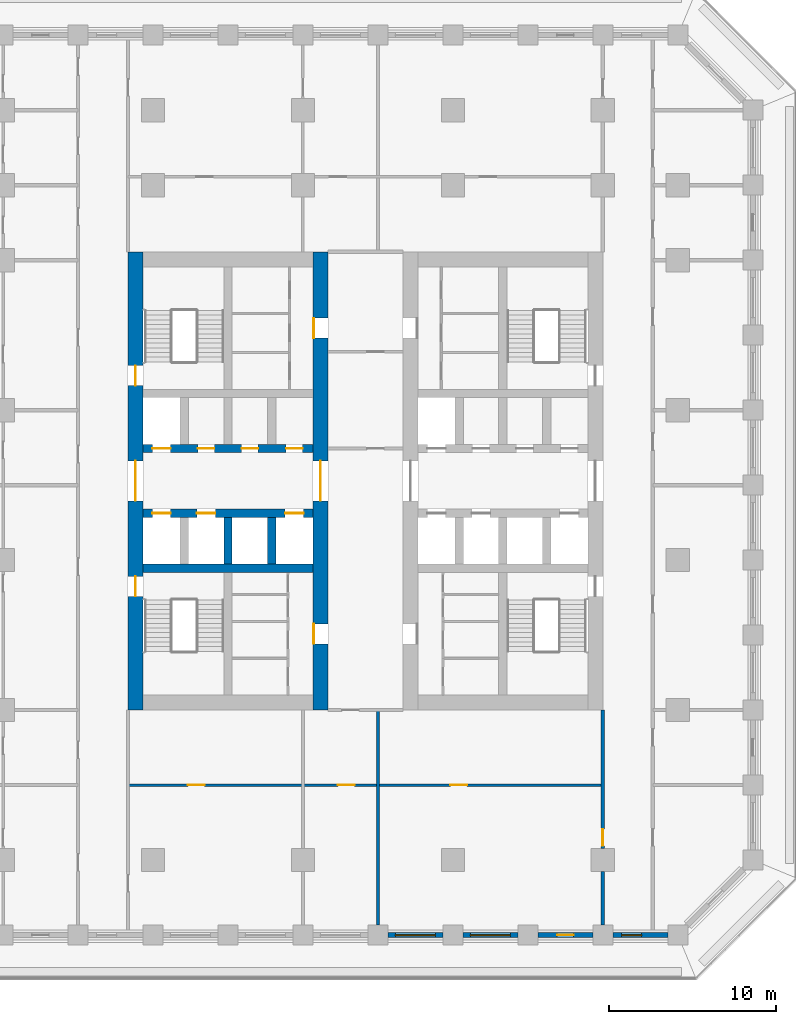
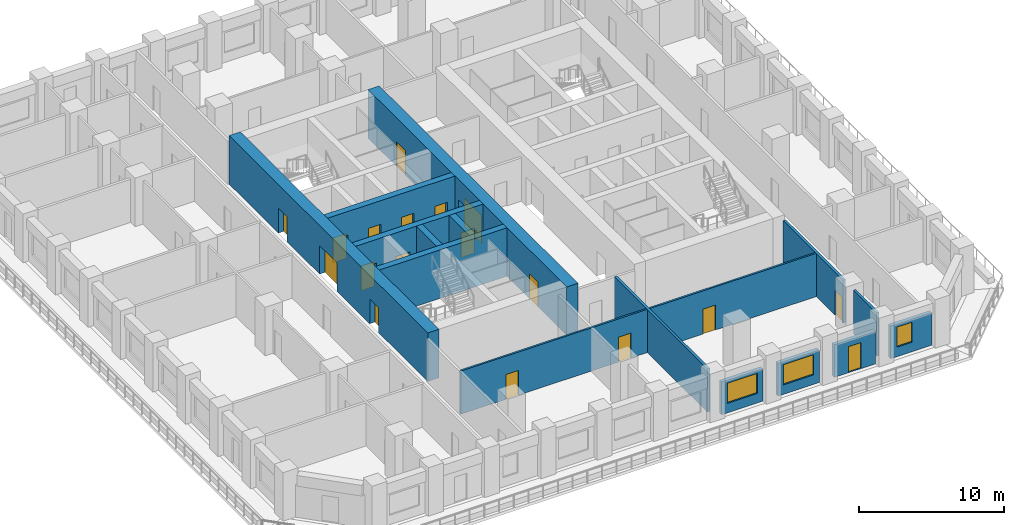
# One storey, part 4 of 17: 18 doors, 15 walls, 3 windows, 21 openings.
"""IFC4 building model written with IfcOpenShell, lengths in metres."""

import ifcopenshell
import ifcopenshell.guid

model = None  # the IFC model being written
_history = None  # IfcOwnerHistory: only IFC2X3 demands one
_inside = {}  # id of a spatial element -> (the spatial element, [elements in it])
_under = {}  # id of a project, library or spatial element -> (it, [spatial elements below it])
_declared = {}  # id of a project -> (the project, [libraries it declares])
_typed = {}  # id of a type object -> (the type object, [elements of that type])
_made_of = {}  # id of a material, layer set ... -> (it, [elements and type objects made of it])


def new_model(schema):
    """Start an empty IFC model of exactly this schema.

    Asked for "IFC4X3", IfcOpenShell would pick the latest addendum, in which some entities
    have other attributes; the version numbers below select the first issue.
    IFC2X3 requires an IfcOwnerHistory on every rooted entity: one is made here for all.
    """
    global model, _history
    if schema == "IFC4X3":
        model = ifcopenshell.file(schema_version=(4, 3, 0, 0))
    else:
        model = ifcopenshell.file(schema=schema)
    _inside.clear()
    _under.clear()
    _declared.clear()
    _typed.clear()
    _made_of.clear()
    _history = None
    if model.schema == "IFC2X3":
        org = make("IfcOrganization", Name="unknown")
        user = make(
            "IfcPersonAndOrganization",
            ThePerson=make("IfcPerson", FamilyName="unknown"),
            TheOrganization=org,
        )
        app = make(
            "IfcApplication",
            ApplicationDeveloper=org,
            Version="unknown",
            ApplicationFullName="unknown",
            ApplicationIdentifier="unknown",
        )
        _history = make(
            "IfcOwnerHistory",
            OwningUser=user,
            OwningApplication=app,
            ChangeAction="ADDED",
            CreationDate=0,
        )
    return model


def make(cls, **values):
    """One entity of the class cls with the attributes given. An attribute that is None is left unset."""
    return model.create_entity(
        cls, **{name: value for name, value in values.items() if value is not None}
    )


def rooted(cls, **values):
    """An entity with a GlobalId (a new one), such as an element, a storey or a relation."""
    return make(cls, GlobalId=ifcopenshell.guid.new(), OwnerHistory=_history, **values)


def si_unit(unit_type, name, prefix=None):
    """IfcSIUnit, for example si_unit("LENGTHUNIT", "METRE", prefix="MILLI")."""
    return make("IfcSIUnit", UnitType=unit_type, Prefix=prefix, Name=name)


def assignment(units):
    """IfcUnitAssignment: the units of a project."""
    return None if units is None else make("IfcUnitAssignment", Units=units)


def point(xyz):
    """IfcCartesianPoint."""
    return None if xyz is None else make("IfcCartesianPoint", Coordinates=xyz)


def direction(xyz):
    """IfcDirection."""
    return None if xyz is None else make("IfcDirection", DirectionRatios=xyz)


def frame(location, z_axis=None, x_axis=None):
    """IfcAxis2Placement3D, a coordinate frame: its origin and axes. An axis left out is left unset."""
    return make(
        "IfcAxis2Placement3D",
        Location=point(location),
        Axis=direction(z_axis),
        RefDirection=direction(x_axis),
    )


def frame_2d(location, x_axis=None):
    """IfcAxis2Placement2D, a coordinate frame in the plane: its origin and x axis."""
    return make(
        "IfcAxis2Placement2D", Location=point(location), RefDirection=direction(x_axis)
    )


def origin():
    """The frame at (0, 0, 0) with its axes left unset."""
    return frame((0.0, 0.0, 0.0))


def place(relative_to, where):
    """IfcLocalPlacement: puts the frame where relative to a parent placement (None: the world)."""
    return make(
        "IfcLocalPlacement", PlacementRelTo=relative_to, RelativePlacement=where
    )


def context(
    kind, dimensions, precision=None, world=None, true_north=None, identifier=None
):
    """IfcGeometricRepresentationContext, for example the 3D "Model" context."""
    return make(
        "IfcGeometricRepresentationContext",
        ContextIdentifier=identifier,
        ContextType=kind,
        CoordinateSpaceDimension=dimensions,
        Precision=precision,
        WorldCoordinateSystem=world,
        TrueNorth=true_north,
    )


def subcontext(parent, identifier, kind, view, scale=None):
    """IfcGeometricRepresentationSubContext, for example "Body" below "Model"."""
    return make(
        "IfcGeometricRepresentationSubContext",
        ContextIdentifier=identifier,
        ContextType=kind,
        ParentContext=parent,
        TargetScale=scale,
        TargetView=view,
    )


def project(units=None, contexts=None):
    """IfcProject with its units and contexts."""
    return rooted(
        "IfcProject",
        Name="project",
        RepresentationContexts=contexts,
        UnitsInContext=assignment(units),
    )


def spatial(cls, under=None, at=None, **own):
    """A site, building, storey or space (cls), placed at a placement, below another one or the project."""
    s = rooted(cls, ObjectPlacement=at, **own)
    if under is not None:
        _under.setdefault(under.id(), (under, []))[1].append(s)
    return s


def profile(cls, at=None, kind="AREA", **sizes):
    """A parametric profile (cls). Its sizes go by their IFC names, for example OverallWidth=200.0."""
    return make(cls, ProfileType=kind, Position=at, **sizes)


def rectangle(**sizes):
    """IfcRectangleProfileDef."""
    return profile("IfcRectangleProfileDef", **sizes)


def extrude(swept, where, along, depth):
    """IfcExtrudedAreaSolid: the profile swept, set in the frame where, extruded along a direction by depth."""
    return make(
        "IfcExtrudedAreaSolid",
        SweptArea=swept,
        Position=where,
        ExtrudedDirection=direction(along),
        Depth=depth,
    )


def shape(context_of_items, identifier, shape_type, items):
    """IfcShapeRepresentation: the items that make up one representation, for example the "Body"."""
    return make(
        "IfcShapeRepresentation",
        ContextOfItems=context_of_items,
        RepresentationIdentifier=identifier,
        RepresentationType=shape_type,
        Items=items,
    )


def material(Name=None, Category=None):
    """IfcMaterial."""
    return make("IfcMaterial", Name=Name, Category=Category)


def layer(
    of_material, thickness, ventilated=None, Name=None, Category=None, Priority=None
):
    """IfcMaterialLayer: one layer of a wall or slab, of a material (None: an air gap)."""
    return make(
        "IfcMaterialLayer",
        Material=of_material,
        LayerThickness=thickness,
        IsVentilated=ventilated,
        Name=Name,
        Category=Category,
        Priority=Priority,
    )


def layer_set(layers, Name=None):
    """IfcMaterialLayerSet."""
    return make("IfcMaterialLayerSet", MaterialLayers=layers, LayerSetName=Name)


def made_of(thing, what):
    """Note that an element or type object is made of a material, layer set ...; save() writes the relation."""
    if what is not None:
        _made_of.setdefault(what.id(), (what, []))[1].append(thing)
    return thing


def type_object(cls, material=None, **own):
    """A type object (cls), such as IfcWallType, which elements share."""
    return made_of(rooted(cls, **own), material)


def element(
    cls,
    number,
    at=None,
    inside=None,
    cuts=None,
    type_object=None,
    material=None,
    context=None,
    identifier="Body",
    shape_type=None,
    held_by="IfcProductDefinitionShape",
    body=None,
    shapes=None,
    **own,
):
    """One element of the class cls, such as IfcWall. Its Tag is "e" and its number.

    at: its placement. inside: the storey or other place that contains it. cuts: it is an
    opening in that element (IfcRelVoidsElement). A single representation is given by context,
    identifier, shape_type and body (its items); several are given by shapes. held_by: the class
    of the entity that holds the representations. save() writes the other relations.
    """
    e = rooted(cls, Tag="e%d" % number, ObjectPlacement=at, **own)
    if body is not None:
        shapes = [shape(context, identifier, shape_type, body)]
    if shapes is not None:
        e.Representation = make(held_by, Representations=shapes)
    if inside is not None:
        _inside.setdefault(inside.id(), (inside, []))[1].append(e)
    if cuts is not None:
        rooted(
            "IfcRelVoidsElement", RelatingBuildingElement=cuts, RelatedOpeningElement=e
        )
    if type_object is not None:
        _typed.setdefault(type_object.id(), (type_object, []))[1].append(e)
    return made_of(e, material)


def fill(opening, filler):
    """IfcRelFillsElement: the door or window that sits in an opening."""
    return rooted(
        "IfcRelFillsElement",
        RelatingOpeningElement=opening,
        RelatedBuildingElement=filler,
    )


def aggregate(whole, parts):
    """IfcRelAggregates: a whole, such as a stair, and the parts it consists of."""
    return rooted("IfcRelAggregates", RelatingObject=whole, RelatedObjects=parts)


def save(model, path):
    """Write the relations noted so far, then the file.

    IfcRelAggregates (storeys below a building ...), IfcRelContainedInSpatialStructure (elements
    in a storey), IfcRelDefinesByType, IfcRelAssociatesMaterial and IfcRelDeclares: one each for
    every whole, place, type object, material and project.
    """
    for whole, parts in _under.values():
        aggregate(whole, parts)
    for where, things in _inside.values():
        rooted(
            "IfcRelContainedInSpatialStructure",
            RelatedElements=things,
            RelatingStructure=where,
        )
    for kind, things in _typed.values():
        rooted("IfcRelDefinesByType", RelatedObjects=things, RelatingType=kind)
    for what, things in _made_of.values():
        rooted("IfcRelAssociatesMaterial", RelatedObjects=things, RelatingMaterial=what)
    for by, libraries in _declared.values():
        rooted("IfcRelDeclares", RelatingContext=by, RelatedDefinitions=libraries)
    model.write(path)


model = new_model("IFC4")

# Units and contexts
model_context = context("Model", 3, precision=1e-05, world=origin(), true_north=direction((0.0, 1.0)))
body_context = subcontext(model_context, "Body", "Model", "MODEL_VIEW")
ifc_project = project(units=[si_unit("LENGTHUNIT", "METRE"), si_unit("AREAUNIT", "SQUARE_METRE"), si_unit("VOLUMEUNIT", "CUBIC_METRE"), si_unit("PLANEANGLEUNIT", "RADIAN"), si_unit("MASSUNIT", "GRAM", prefix="KILO")], contexts=[model_context])

# Site, building, storey
site_placement = place(None, origin())
site = spatial("IfcSite", under=ifc_project, at=site_placement, CompositionType="ELEMENT")
building_placement = place(site_placement, origin())
building = spatial("IfcBuilding", under=site, at=building_placement, Name="Corbel Stack Research Tower", CompositionType="ELEMENT")
storey_placement = place(building_placement, frame((0.0, 0.0, 129.0)))
storey = spatial("IfcBuildingStorey", under=building, at=storey_placement, Name="L29", CompositionType="ELEMENT", Elevation=129.0)

# Wall
ifc_material_1 = material(Name="Concrete C70/85", Category="concrete")
ifc_layer_1 = layer(ifc_material_1, 0.5)
ifc_layer_set_1 = layer_set([ifc_layer_1], Name="Concrete C70/85")
wall_type_1 = type_object("IfcWallType", Name="CW-500-70", PredefinedType="SHEAR", material=ifc_layer_set_1)
wall_1_placement = place(storey_placement, frame((-9.60009765625, -0.5, 0.0), z_axis=(0.0, 0.0, 1.0), x_axis=(1.0, 0.0, 0.0)))
element("IfcWall", 1, at=wall_1_placement, inside=storey, type_object=wall_type_1, Name="West core wall, south row back L29", PredefinedType="SHEAR", context=body_context, shape_type="SweptSolid", body=[
    extrude(rectangle(XDim=10.2001953125, YDim=0.5, at=frame_2d((5.10009765625, 0.0))), origin(), (0.0, 0.0, 1.0), 4.10009765625),
])

# Wall, openings, doors
wall_2_placement = place(storey_placement, frame((-9.60009765625, 2.800048828125, 0.0), z_axis=(0.0, 0.0, 1.0), x_axis=(1.0, 0.0, 0.0)))
wall_2 = element("IfcWall", 2, at=wall_2_placement, inside=storey, type_object=wall_type_1, Name="West core wall, lobby south L29", PredefinedType="SHEAR", context=body_context, shape_type="SweptSolid", body=[
    extrude(rectangle(XDim=10.2001953125, YDim=0.5, at=frame_2d((5.10009765625, 0.0))), origin(), (0.0, 0.0, 1.0), 4.10009765625),
])
opening_1_placement = place(wall_2_placement, frame((0.5625, 0.0, 0.0)))
opening_1 = element("IfcOpeningElement", 3, at=opening_1_placement, cuts=wall_2, Name="Opening LD-FS1", PredefinedType="OPENING", context=body_context, shape_type="SweptSolid", body=[
    extrude(rectangle(XDim=1.10009765625, YDim=2.10009765625, at=frame_2d((0.550048828125, 1.050048828125))), frame((0.0, 0.260009765625, 0.0), z_axis=(0.0, -1.0, 0.0), x_axis=(1.0, 0.0, 0.0)), (0.0, 0.0, 1.0), 0.52001953125),
])
opening_2_placement = place(wall_2_placement, frame((3.237548828125, 0.0, 0.0)))
opening_2 = element("IfcOpeningElement", 4, at=opening_2_placement, cuts=wall_2, Name="Opening LD-GL1", PredefinedType="OPENING", context=body_context, shape_type="SweptSolid", body=[
    extrude(rectangle(XDim=1.10009765625, YDim=2.10009765625, at=frame_2d((0.550048828125, 1.050048828125))), frame((0.0, 0.260009765625, 0.0), z_axis=(0.0, -1.0, 0.0), x_axis=(1.0, 0.0, 0.0)), (0.0, 0.0, 1.0), 0.52001953125),
])
opening_3_placement = place(wall_2_placement, frame((8.53759765625, 0.0, 0.0)))
opening_3 = element("IfcOpeningElement", 5, at=opening_3_placement, cuts=wall_2, Name="Opening LD-LR1", PredefinedType="OPENING", context=body_context, shape_type="SweptSolid", body=[
    extrude(rectangle(XDim=1.10009765625, YDim=2.10009765625, at=frame_2d((0.550048828125, 1.050048828125))), frame((0.0, 0.260009765625, 0.0), z_axis=(0.0, -1.0, 0.0), x_axis=(1.0, 0.0, 0.0)), (0.0, 0.0, 1.0), 0.52001953125),
])
ifc_material_2 = material(Name="Stainless steel landing door", Category="steel")
door_type_1 = type_object("IfcDoorType", Name="Lift landing door 1100 x 2100", OperationType="DOUBLE_DOOR_SLIDING", PredefinedType="DOOR", material=ifc_material_2)
door_1_placement = place(opening_1_placement, origin())
door_1 = element("IfcDoor", 6, at=door_1_placement, inside=storey, type_object=door_type_1, Name="Landing door FS1", OperationType="DOUBLE_DOOR_SLIDING", OverallHeight=2.10009765625, OverallWidth=1.10009765625, PredefinedType="DOOR", context=body_context, shape_type="SweptSolid", body=[
    extrude(rectangle(XDim=1.10009765625, YDim=2.10009765625, at=frame_2d((0.550048828125, 1.050048828125))), frame((0.0, 0.02490234375, 0.0), z_axis=(0.0, -1.0, 0.0), x_axis=(1.0, 0.0, 0.0)), (0.0, 0.0, 1.0), 0.050048828125),
])
fill(opening_1, door_1)
door_2_placement = place(opening_2_placement, origin())
door_2 = element("IfcDoor", 7, at=door_2_placement, inside=storey, type_object=door_type_1, Name="Landing door GL1", OperationType="DOUBLE_DOOR_SLIDING", OverallHeight=2.10009765625, OverallWidth=1.10009765625, PredefinedType="DOOR", context=body_context, shape_type="SweptSolid", body=[
    extrude(rectangle(XDim=1.10009765625, YDim=2.10009765625, at=frame_2d((0.550048828125, 1.050048828125))), frame((0.0, 0.02490234375, 0.0), z_axis=(0.0, -1.0, 0.0), x_axis=(1.0, 0.0, 0.0)), (0.0, 0.0, 1.0), 0.050048828125),
])
fill(opening_2, door_2)
door_3_placement = place(opening_3_placement, origin())
door_3 = element("IfcDoor", 8, at=door_3_placement, inside=storey, type_object=door_type_1, Name="Landing door LR1", OperationType="DOUBLE_DOOR_SLIDING", OverallHeight=2.10009765625, OverallWidth=1.10009765625, PredefinedType="DOOR", context=body_context, shape_type="SweptSolid", body=[
    extrude(rectangle(XDim=1.10009765625, YDim=2.10009765625, at=frame_2d((0.550048828125, 1.050048828125))), frame((0.0, 0.02490234375, 0.0), z_axis=(0.0, -1.0, 0.0), x_axis=(1.0, 0.0, 0.0)), (0.0, 0.0, 1.0), 0.050048828125),
])
fill(opening_3, door_3)

wall_3_placement = place(storey_placement, frame((-9.60009765625, 6.699951171875, 0.0), z_axis=(0.0, 0.0, 1.0), x_axis=(1.0, 0.0, 0.0)))
wall_3 = element("IfcWall", 9, at=wall_3_placement, inside=storey, type_object=wall_type_1, Name="West core wall, lobby north L29", PredefinedType="SHEAR", context=body_context, shape_type="SweptSolid", body=[
    extrude(rectangle(XDim=10.2001953125, YDim=0.5, at=frame_2d((5.10009765625, 0.0))), origin(), (0.0, 0.0, 1.0), 4.10009765625),
])
opening_4_placement = place(wall_3_placement, frame((0.5625, 0.0, 0.0)))
opening_4 = element("IfcOpeningElement", 10, at=opening_4_placement, cuts=wall_3, Name="Opening LD-LR2", PredefinedType="OPENING", context=body_context, shape_type="SweptSolid", body=[
    extrude(rectangle(XDim=1.10009765625, YDim=2.10009765625, at=frame_2d((0.550048828125, 1.050048828125))), frame((0.0, 0.260009765625, 0.0), z_axis=(0.0, -1.0, 0.0), x_axis=(1.0, 0.0, 0.0)), (0.0, 0.0, 1.0), 0.52001953125),
])
opening_5_placement = place(wall_3_placement, frame((3.28759765625, 0.0, 0.0)))
opening_5 = element("IfcOpeningElement", 11, at=opening_5_placement, cuts=wall_3, Name="Opening CR-W42-N2", PredefinedType="OPENING", context=body_context, shape_type="SweptSolid", body=[
    extrude(rectangle(XDim=1.0, YDim=2.10009765625, at=frame_2d((0.5, 1.050048828125))), frame((0.0, 0.260009765625, 0.0), z_axis=(0.0, -1.0, 0.0), x_axis=(1.0, 0.0, 0.0)), (0.0, 0.0, 1.0), 0.52001953125),
])
opening_6_placement = place(wall_3_placement, frame((5.91259765625, 0.0, 0.0)))
opening_6 = element("IfcOpeningElement", 12, at=opening_6_placement, cuts=wall_3, Name="Opening CR-W42-N3", PredefinedType="OPENING", context=body_context, shape_type="SweptSolid", body=[
    extrude(rectangle(XDim=1.0, YDim=2.10009765625, at=frame_2d((0.5, 1.050048828125))), frame((0.0, 0.260009765625, 0.0), z_axis=(0.0, -1.0, 0.0), x_axis=(1.0, 0.0, 0.0)), (0.0, 0.0, 1.0), 0.52001953125),
])
opening_7_placement = place(wall_3_placement, frame((8.58740234375, 0.0, 0.0)))
opening_7 = element("IfcOpeningElement", 13, at=opening_7_placement, cuts=wall_3, Name="Opening CR-W42-N4", PredefinedType="OPENING", context=body_context, shape_type="SweptSolid", body=[
    extrude(rectangle(XDim=1.0, YDim=2.10009765625, at=frame_2d((0.5, 1.050048828125))), frame((0.0, 0.260009765625, 0.0), z_axis=(0.0, -1.0, 0.0), x_axis=(1.0, 0.0, 0.0)), (0.0, 0.0, 1.0), 0.52001953125),
])
door_4_placement = place(opening_4_placement, origin())
door_4 = element("IfcDoor", 14, at=door_4_placement, inside=storey, type_object=door_type_1, Name="Landing door LR2", OperationType="DOUBLE_DOOR_SLIDING", OverallHeight=2.10009765625, OverallWidth=1.10009765625, PredefinedType="DOOR", context=body_context, shape_type="SweptSolid", body=[
    extrude(rectangle(XDim=1.10009765625, YDim=2.10009765625, at=frame_2d((0.550048828125, 1.050048828125))), frame((0.0, 0.02490234375, 0.0), z_axis=(0.0, -1.0, 0.0), x_axis=(1.0, 0.0, 0.0)), (0.0, 0.0, 1.0), 0.050048828125),
])
fill(opening_4, door_4)
ifc_material_3 = material(Name="Painted steel door", Category="steel")
door_type_2 = type_object("IfcDoorType", Name="Service door 1000 x 2100 FD60 left hand", OperationType="SINGLE_SWING_LEFT", PredefinedType="DOOR", material=ifc_material_3)
door_5_placement = place(opening_6_placement, origin())
door_5 = element("IfcDoor", 15, at=door_5_placement, inside=storey, type_object=door_type_2, Name="Cleaner's store door W core", OperationType="SINGLE_SWING_LEFT", OverallHeight=2.10009765625, OverallWidth=1.0, PredefinedType="DOOR", context=body_context, shape_type="SweptSolid", body=[
    extrude(rectangle(XDim=1.0, YDim=2.10009765625, at=frame_2d((0.5, 1.050048828125))), frame((0.0, 0.02490234375, 0.0), z_axis=(0.0, -1.0, 0.0), x_axis=(1.0, 0.0, 0.0)), (0.0, 0.0, 1.0), 0.050048828125),
])
fill(opening_6, door_5)
ifc_material_4 = material(Name="Painted steel door", Category="steel")
door_type_3 = type_object("IfcDoorType", Name="Service door 1000 x 2100 FD60 right hand", OperationType="SINGLE_SWING_RIGHT", PredefinedType="DOOR", material=ifc_material_4)
door_6_placement = place(opening_5_placement, origin())
door_6 = element("IfcDoor", 16, at=door_6_placement, inside=storey, type_object=door_type_3, Name="Laboratory consumables store door W core", OperationType="SINGLE_SWING_RIGHT", OverallHeight=2.10009765625, OverallWidth=1.0, PredefinedType="DOOR", context=body_context, shape_type="SweptSolid", body=[
    extrude(rectangle(XDim=1.0, YDim=2.10009765625, at=frame_2d((0.5, 1.050048828125))), frame((0.0, 0.02490234375, 0.0), z_axis=(0.0, -1.0, 0.0), x_axis=(1.0, 0.0, 0.0)), (0.0, 0.0, 1.0), 0.050048828125),
])
fill(opening_5, door_6)
door_7_placement = place(opening_7_placement, origin())
door_7 = element("IfcDoor", 17, at=door_7_placement, inside=storey, type_object=door_type_3, Name="Vending bay door W core", OperationType="SINGLE_SWING_RIGHT", OverallHeight=2.10009765625, OverallWidth=1.0, PredefinedType="DOOR", context=body_context, shape_type="SweptSolid", body=[
    extrude(rectangle(XDim=1.0, YDim=2.10009765625, at=frame_2d((0.5, 1.050048828125))), frame((0.0, 0.02490234375, 0.0), z_axis=(0.0, -1.0, 0.0), x_axis=(1.0, 0.0, 0.0)), (0.0, 0.0, 1.0), 0.050048828125),
])
fill(opening_7, door_7)

# Walls
for number, where, z_axis, x_axis, name in (
    (18, (-4.5, -0.25, 0.0), (0.0, 0.0, 1.0), (0.0, 1.0, 0.0), "West core wall, south shaft 2 L29"),
    (19, (-1.875, -0.25, 0.0), (0.0, 0.0, 1.0), (0.0, 1.0, 0.0), "West core wall, south shaft 3 L29"),
):
    element("IfcWall", number, at=place(storey_placement, frame(where, z_axis=z_axis, x_axis=x_axis)), inside=storey, type_object=wall_type_1, Name=name, PredefinedType="SHEAR", context=body_context, shape_type="SweptSolid", body=[
        extrude(rectangle(XDim=2.800048828125, YDim=0.5, at=frame_2d((1.39990234375, 0.0))), origin(), (0.0, 0.0, 1.0), 4.10009765625),
    ])

# Wall, openings, doors
ifc_material_5 = material(Name="Concrete C70/85", Category="concrete")
ifc_layer_2 = layer(ifc_material_5, 0.89990234375)
ifc_layer_set_2 = layer_set([ifc_layer_2], Name="Concrete C70/85")
wall_type_2 = type_object("IfcWallType", Name="CW-900-70", PredefinedType="SHEAR", material=ifc_layer_set_2)
wall_4_placement = place(storey_placement, frame((-10.050048828125, -9.0, 0.0), z_axis=(0.0, 0.0, 1.0), x_axis=(0.0, 1.0, 0.0)))
wall_4 = element("IfcWall", 20, at=wall_4_placement, inside=storey, type_object=wall_type_2, Name="West core wall, west face L29", PredefinedType="SHEAR", context=body_context, shape_type="SweptSolid", body=[
    extrude(rectangle(XDim=27.5, YDim=0.89990234375, at=frame_2d((13.75, 0.0))), origin(), (0.0, 0.0, 1.0), 4.10009765625),
])
opening_8_placement = place(wall_4_placement, frame((12.550048828125, 0.0, 0.0)))
opening_8 = element("IfcOpeningElement", 21, at=opening_8_placement, cuts=wall_4, Name="Opening CD-W-W", PredefinedType="OPENING", context=body_context, shape_type="SweptSolid", body=[
    extrude(rectangle(XDim=2.39990234375, YDim=2.39990234375, at=frame_2d((1.199951171875, 1.199951171875))), frame((0.0, 0.4599609375, 0.0), z_axis=(0.0, -1.0, 0.0), x_axis=(1.0, 0.0, 0.0)), (0.0, 0.0, 1.0), 0.919921875),
])
opening_9_placement = place(wall_4_placement, frame((6.824951171875, 0.0, 0.0)))
opening_9 = element("IfcOpeningElement", 22, at=opening_9_placement, cuts=wall_4, Name="Opening SD-ST-W1", PredefinedType="OPENING", context=body_context, shape_type="SweptSolid", body=[
    extrude(rectangle(XDim=1.199951171875, YDim=2.10009765625, at=frame_2d((0.60009765625, 1.050048828125))), frame((0.0, 0.4599609375, 0.0), z_axis=(0.0, -1.0, 0.0), x_axis=(1.0, 0.0, 0.0)), (0.0, 0.0, 1.0), 0.919921875),
])
opening_10_placement = place(wall_4_placement, frame((19.47509765625, 0.0, 0.0)))
opening_10 = element("IfcOpeningElement", 23, at=opening_10_placement, cuts=wall_4, Name="Opening SD-ST-W2", PredefinedType="OPENING", context=body_context, shape_type="SweptSolid", body=[
    extrude(rectangle(XDim=1.199951171875, YDim=2.10009765625, at=frame_2d((0.60009765625, 1.050048828125))), frame((0.0, 0.4599609375, 0.0), z_axis=(0.0, -1.0, 0.0), x_axis=(1.0, 0.0, 0.0)), (0.0, 0.0, 1.0), 0.919921875),
])
ifc_material_6 = material(Name="Painted steel fire door", Category="steel")
door_type_4 = type_object("IfcDoorType", Name="Lobby door pair 2400 x 2400 FD30S", OperationType="DOUBLE_DOOR_DOUBLE_SWING", PredefinedType="DOOR", material=ifc_material_6)
door_8_placement = place(opening_8_placement, origin())
door_8 = element("IfcDoor", 24, at=door_8_placement, inside=storey, type_object=door_type_4, Name="Lift lobby door W core W", OperationType="DOUBLE_DOOR_DOUBLE_SWING", OverallHeight=2.39990234375, OverallWidth=2.39990234375, PredefinedType="DOOR", context=body_context, shape_type="SweptSolid", body=[
    extrude(rectangle(XDim=2.39990234375, YDim=2.39990234375, at=frame_2d((1.199951171875, 1.199951171875))), frame((0.0, 0.02490234375, 0.0), z_axis=(0.0, -1.0, 0.0), x_axis=(1.0, 0.0, 0.0)), (0.0, 0.0, 1.0), 0.050048828125),
])
fill(opening_8, door_8)
ifc_material_7 = material(Name="Painted steel fire door", Category="steel")
door_type_5 = type_object("IfcDoorType", Name="Stair door 1200 x 2100 FD90 left hand", OperationType="SINGLE_SWING_LEFT", PredefinedType="DOOR", material=ifc_material_7)
door_9_placement = place(opening_9_placement, origin())
door_9 = element("IfcDoor", 25, at=door_9_placement, inside=storey, type_object=door_type_5, Name="Stair door ST-W1", OperationType="SINGLE_SWING_LEFT", OverallHeight=2.10009765625, OverallWidth=1.199951171875, PredefinedType="DOOR", context=body_context, shape_type="SweptSolid", body=[
    extrude(rectangle(XDim=1.199951171875, YDim=2.10009765625, at=frame_2d((0.60009765625, 1.050048828125))), frame((0.0, 0.02490234375, 0.0), z_axis=(0.0, -1.0, 0.0), x_axis=(1.0, 0.0, 0.0)), (0.0, 0.0, 1.0), 0.050048828125),
])
fill(opening_9, door_9)
door_10_placement = place(opening_10_placement, origin())
door_10 = element("IfcDoor", 26, at=door_10_placement, inside=storey, type_object=door_type_5, Name="Stair door ST-W2", OperationType="SINGLE_SWING_LEFT", OverallHeight=2.10009765625, OverallWidth=1.199951171875, PredefinedType="DOOR", context=body_context, shape_type="SweptSolid", body=[
    extrude(rectangle(XDim=1.199951171875, YDim=2.10009765625, at=frame_2d((0.60009765625, 1.050048828125))), frame((0.0, 0.02490234375, 0.0), z_axis=(0.0, -1.0, 0.0), x_axis=(1.0, 0.0, 0.0)), (0.0, 0.0, 1.0), 0.050048828125),
])
fill(opening_10, door_10)

wall_5_placement = place(storey_placement, frame((1.050048828125, -9.0, 0.0), z_axis=(0.0, 0.0, 1.0), x_axis=(0.0, 1.0, 0.0)))
wall_5 = element("IfcWall", 27, at=wall_5_placement, inside=storey, type_object=wall_type_2, Name="West core wall, east face L29", PredefinedType="SHEAR", context=body_context, shape_type="SweptSolid", body=[
    extrude(rectangle(XDim=27.5, YDim=0.89990234375, at=frame_2d((13.75, 0.0))), origin(), (0.0, 0.0, 1.0), 4.10009765625),
])
opening_11_placement = place(wall_5_placement, frame((12.550048828125, 0.0, 0.0)))
opening_11 = element("IfcOpeningElement", 28, at=opening_11_placement, cuts=wall_5, Name="Opening CD-W-E", PredefinedType="OPENING", context=body_context, shape_type="SweptSolid", body=[
    extrude(rectangle(XDim=2.39990234375, YDim=2.39990234375, at=frame_2d((1.199951171875, 1.199951171875))), frame((0.0, 0.4599609375, 0.0), z_axis=(0.0, -1.0, 0.0), x_axis=(1.0, 0.0, 0.0)), (0.0, 0.0, 1.0), 0.919921875),
])
opening_12_placement = place(wall_5_placement, frame((3.97509765625, 0.0, 0.0)))
opening_12 = element("IfcOpeningElement", 29, at=opening_12_placement, cuts=wall_5, Name="Opening CR-W42-W1-1200", PredefinedType="OPENING", context=body_context, shape_type="SweptSolid", body=[
    extrude(rectangle(XDim=1.199951171875, YDim=2.10009765625, at=frame_2d((0.60009765625, 1.050048828125))), frame((0.0, 0.4599609375, 0.0), z_axis=(0.0, -1.0, 0.0), x_axis=(1.0, 0.0, 0.0)), (0.0, 0.0, 1.0), 0.919921875),
])
opening_13_placement = place(wall_5_placement, frame((22.324951171875, 0.0, 0.0)))
opening_13 = element("IfcOpeningElement", 30, at=opening_13_placement, cuts=wall_5, Name="Opening CR-W42-R1-1200", PredefinedType="OPENING", context=body_context, shape_type="SweptSolid", body=[
    extrude(rectangle(XDim=1.199951171875, YDim=2.10009765625, at=frame_2d((0.60009765625, 1.050048828125))), frame((0.0, 0.4599609375, 0.0), z_axis=(0.0, -1.0, 0.0), x_axis=(1.0, 0.0, 0.0)), (0.0, 0.0, 1.0), 0.919921875),
])
door_11_placement = place(opening_11_placement, origin())
door_11 = element("IfcDoor", 31, at=door_11_placement, inside=storey, type_object=door_type_4, Name="Lift lobby door W core E", OperationType="DOUBLE_DOOR_DOUBLE_SWING", OverallHeight=2.39990234375, OverallWidth=2.39990234375, PredefinedType="DOOR", context=body_context, shape_type="SweptSolid", body=[
    extrude(rectangle(XDim=2.39990234375, YDim=2.39990234375, at=frame_2d((1.199951171875, 1.199951171875))), frame((0.0, 0.02490234375, 0.0), z_axis=(0.0, -1.0, 0.0), x_axis=(1.0, 0.0, 0.0)), (0.0, 0.0, 1.0), 0.050048828125),
])
fill(opening_11, door_11)
ifc_material_8 = material(Name="Painted steel door", Category="steel")
door_type_6 = type_object("IfcDoorType", Name="Service door 1200 x 2100 FD30 left hand", OperationType="SINGLE_SWING_LEFT", PredefinedType="DOOR", material=ifc_material_8)
door_12_placement = place(opening_13_placement, origin())
door_12 = element("IfcDoor", 32, at=door_12_placement, inside=storey, type_object=door_type_6, Name="Service passage door W core", OperationType="SINGLE_SWING_LEFT", OverallHeight=2.10009765625, OverallWidth=1.199951171875, PredefinedType="DOOR", context=body_context, shape_type="SweptSolid", body=[
    extrude(rectangle(XDim=1.199951171875, YDim=2.10009765625, at=frame_2d((0.60009765625, 1.050048828125))), frame((0.0, 0.4248046875, 0.0), z_axis=(0.0, -1.0, 0.0), x_axis=(1.0, 0.0, 0.0)), (0.0, 0.0, 1.0), 0.050048828125),
])
fill(opening_13, door_12)
ifc_material_9 = material(Name="Painted timber door", Category="wood")
door_type_7 = type_object("IfcDoorType", Name="WC door 1200 x 2100 left hand", OperationType="SINGLE_SWING_LEFT", PredefinedType="DOOR", material=ifc_material_9)
door_13_placement = place(opening_12_placement, origin())
door_13 = element("IfcDoor", 33, at=door_13_placement, inside=storey, type_object=door_type_7, Name="WC lobby door W core", OperationType="SINGLE_SWING_LEFT", OverallHeight=2.10009765625, OverallWidth=1.199951171875, PredefinedType="DOOR", context=body_context, shape_type="SweptSolid", body=[
    extrude(rectangle(XDim=1.199951171875, YDim=2.10009765625, at=frame_2d((0.60009765625, 1.050048828125))), frame((0.0, 0.4248046875, 0.0), z_axis=(0.0, -1.0, 0.0), x_axis=(1.0, 0.0, 0.0)), (0.0, 0.0, 1.0), 0.050048828125),
])
fill(opening_12, door_13)

# Walls
ifc_material_10 = material(Name="Fire-rated gypsum board partition on steel studs", Category="steel")
ifc_layer_3 = layer(ifc_material_10, 0.199951171875)
ifc_layer_set_3 = layer_set([ifc_layer_3], Name="Fire-rated gypsum board partition on steel studs")
wall_type_3 = type_object("IfcWallType", Name="Fire-rated partition 200 EI 60", PredefinedType="PARTITIONING", material=ifc_layer_set_3)
wall_6_placement = place(storey_placement, frame((4.5, -21.89990234375, 0.0), z_axis=(0.0, 0.0, 1.0), x_axis=(0.0, 1.0, 0.0)))
element("IfcWall", 34, at=wall_6_placement, inside=storey, type_object=wall_type_3, Name="Partition L29-017", PredefinedType="PARTITIONING", context=body_context, shape_type="SweptSolid", body=[
    extrude(rectangle(XDim=12.89990234375, YDim=0.199951171875, at=frame_2d((6.449951171875, 0.0))), origin(), (0.0, 0.0, 1.0), 3.64990234375),
])
wall_7_placement = place(storey_placement, frame((18.0, -21.89990234375, 0.0), z_axis=(0.0, 0.0, 1.0), x_axis=(0.0, 1.0, 0.0)))
element("IfcWall", 35, at=wall_7_placement, inside=storey, type_object=wall_type_3, Name="Partition L29-019", PredefinedType="PARTITIONING", context=body_context, shape_type="SweptSolid", body=[
    extrude(rectangle(XDim=3.199951171875, YDim=0.199951171875, at=frame_2d((1.60009765625, 0.0))), origin(), (0.0, 0.0, 1.0), 3.64990234375),
])

# Wall, opening, door
wall_8_placement = place(storey_placement, frame((18.0, -17.300048828125, 0.0), z_axis=(0.0, 0.0, 1.0), x_axis=(0.0, 1.0, 0.0)))
wall_8 = element("IfcWall", 36, at=wall_8_placement, inside=storey, type_object=wall_type_3, Name="Partition L29-020", PredefinedType="PARTITIONING", context=body_context, shape_type="SweptSolid", body=[
    extrude(rectangle(XDim=8.300048828125, YDim=0.199951171875, at=frame_2d((4.14990234375, 0.0))), origin(), (0.0, 0.0, 1.0), 3.64990234375),
])
opening_14_placement = place(wall_8_placement, frame((0.14990234375, 0.0, 0.0)))
opening_14 = element("IfcOpeningElement", 37, at=opening_14_placement, cuts=wall_8, Name="Opening B4V1-026", PredefinedType="OPENING", context=body_context, shape_type="SweptSolid", body=[
    extrude(rectangle(XDim=1.0, YDim=2.10009765625, at=frame_2d((0.5, 1.050048828125))), frame((0.0, 0.10986328125, 0.0), z_axis=(0.0, -1.0, 0.0), x_axis=(1.0, 0.0, 0.0)), (0.0, 0.0, 1.0), 0.219970703125),
])
ifc_material_11 = material(Name="Painted steel fire door", Category="steel")
door_type_8 = type_object("IfcDoorType", Name="Fire door FD30S 1000 x 2100", OperationType="NOTDEFINED", PredefinedType="DOOR", material=ifc_material_11)
door_14_placement = place(opening_14_placement, origin())
door_14 = element("IfcDoor", 38, at=door_14_placement, inside=storey, type_object=door_type_8, Name="Door B4V1-026", OperationType="SINGLE_SWING_LEFT", OverallHeight=2.10009765625, OverallWidth=1.0, PredefinedType="DOOR", context=body_context, shape_type="SweptSolid", body=[
    extrude(rectangle(XDim=1.0, YDim=2.10009765625, at=frame_2d((0.5, 1.050048828125))), frame((0.0, 0.02490234375, 0.0), z_axis=(0.0, -1.0, 0.0), x_axis=(1.0, 0.0, 0.0)), (0.0, 0.0, 1.0), 0.050048828125),
])
fill(opening_14, door_14)

# Wall, openings, doors
ifc_material_12 = material(Name="Gypsum board partition on steel studs", Category="steel")
ifc_layer_4 = layer(ifc_material_12, 0.14990234375)
ifc_layer_set_4 = layer_set([ifc_layer_4], Name="Gypsum board partition on steel studs")
wall_type_4 = type_object("IfcWallType", Name="Partition 150", PredefinedType="PARTITIONING", material=ifc_layer_set_4)
wall_9_placement = place(storey_placement, frame((-10.5, -13.5, 0.0), z_axis=(0.0, 0.0, 1.0), x_axis=(1.0, 0.0, 0.0)))
wall_9 = element("IfcWall", 39, at=wall_9_placement, inside=storey, type_object=wall_type_4, Name="Partition L29-025", PredefinedType="PARTITIONING", context=body_context, shape_type="SweptSolid", body=[
    extrude(rectangle(XDim=28.5, YDim=0.14990234375, at=frame_2d((14.25, 0.0))), origin(), (0.0, 0.0, 1.0), 3.64990234375),
])
opening_15_placement = place(wall_9_placement, frame((3.60009765625, 0.0, 0.0)))
opening_15 = element("IfcOpeningElement", 40, at=opening_15_placement, cuts=wall_9, Name="Opening B4V1-011", PredefinedType="OPENING", context=body_context, shape_type="SweptSolid", body=[
    extrude(rectangle(XDim=1.0, YDim=2.10009765625, at=frame_2d((0.5, 1.050048828125))), frame((0.0, 0.0849609375, 0.0), z_axis=(0.0, -1.0, 0.0), x_axis=(1.0, 0.0, 0.0)), (0.0, 0.0, 1.0), 0.169921875),
])
opening_16_placement = place(wall_9_placement, frame((12.60009765625, 0.0, 0.0)))
opening_16 = element("IfcOpeningElement", 41, at=opening_16_placement, cuts=wall_9, Name="Opening B4V1-013", PredefinedType="OPENING", context=body_context, shape_type="SweptSolid", body=[
    extrude(rectangle(XDim=1.0, YDim=2.10009765625, at=frame_2d((0.5, 1.050048828125))), frame((0.0, 0.0849609375, 0.0), z_axis=(0.0, -1.0, 0.0), x_axis=(1.0, 0.0, 0.0)), (0.0, 0.0, 1.0), 0.169921875),
])
opening_17_placement = place(wall_9_placement, frame((19.35009765625, 0.0, 0.0)))
opening_17 = element("IfcOpeningElement", 42, at=opening_17_placement, cuts=wall_9, Name="Opening B4V1-015", PredefinedType="OPENING", context=body_context, shape_type="SweptSolid", body=[
    extrude(rectangle(XDim=1.0, YDim=2.10009765625, at=frame_2d((0.5, 1.050048828125))), frame((0.0, 0.0849609375, 0.0), z_axis=(0.0, -1.0, 0.0), x_axis=(1.0, 0.0, 0.0)), (0.0, 0.0, 1.0), 0.169921875),
])
ifc_material_13 = material(Name="Painted timber door", Category="wood")
door_type_9 = type_object("IfcDoorType", Name="Single door 1000 x 2100", OperationType="NOTDEFINED", PredefinedType="DOOR", material=ifc_material_13)
door_15_placement = place(opening_15_placement, origin())
door_15 = element("IfcDoor", 43, at=door_15_placement, inside=storey, type_object=door_type_9, Name="Door B4V1-011", OperationType="SINGLE_SWING_LEFT", OverallHeight=2.10009765625, OverallWidth=1.0, PredefinedType="DOOR", context=body_context, shape_type="SweptSolid", body=[
    extrude(rectangle(XDim=1.0, YDim=2.10009765625, at=frame_2d((0.5, 1.050048828125))), frame((0.0, 0.02490234375, 0.0), z_axis=(0.0, -1.0, 0.0), x_axis=(1.0, 0.0, 0.0)), (0.0, 0.0, 1.0), 0.050048828125),
])
fill(opening_15, door_15)
door_16_placement = place(opening_16_placement, origin())
door_16 = element("IfcDoor", 44, at=door_16_placement, inside=storey, type_object=door_type_9, Name="Door B4V1-013", OperationType="SINGLE_SWING_LEFT", OverallHeight=2.10009765625, OverallWidth=1.0, PredefinedType="DOOR", context=body_context, shape_type="SweptSolid", body=[
    extrude(rectangle(XDim=1.0, YDim=2.10009765625, at=frame_2d((0.5, 1.050048828125))), frame((0.0, 0.02490234375, 0.0), z_axis=(0.0, -1.0, 0.0), x_axis=(1.0, 0.0, 0.0)), (0.0, 0.0, 1.0), 0.050048828125),
])
fill(opening_16, door_16)
door_17_placement = place(opening_17_placement, origin())
door_17 = element("IfcDoor", 45, at=door_17_placement, inside=storey, type_object=door_type_9, Name="Door B4V1-015", OperationType="SINGLE_SWING_RIGHT", OverallHeight=2.10009765625, OverallWidth=1.0, PredefinedType="DOOR", context=body_context, shape_type="SweptSolid", body=[
    extrude(rectangle(XDim=1.0, YDim=2.10009765625, at=frame_2d((0.5, 1.050048828125))), frame((0.0, 0.02490234375, 0.0), z_axis=(0.0, -1.0, 0.0), x_axis=(1.0, 0.0, 0.0)), (0.0, 0.0, 1.0), 0.050048828125),
])
fill(opening_17, door_17)

# Wall, opening, window
ifc_material_14 = material(Name="Concrete C45/55", Category="concrete")
ifc_layer_5 = layer(ifc_material_14, 0.300048828125)
ifc_layer_set_5 = layer_set([ifc_layer_5], Name="Concrete C45/55")
wall_type_5 = type_object("IfcWallType", Name="Terracotta-faced concrete wall 300", PredefinedType="SOLIDWALL", material=ifc_layer_set_5)
wall_10_placement = place(storey_placement, frame((8.39990234375, -22.5, 0.0), z_axis=(0.0, 0.0, 1.0), x_axis=(-1.0, 0.0, 0.0)))
wall_10 = element("IfcWall", 46, at=wall_10_placement, inside=storey, type_object=wall_type_5, Name="Facade wall L29 S07", PredefinedType="SOLIDWALL", context=body_context, shape_type="SweptSolid", body=[
    extrude(rectangle(XDim=3.2998046875, YDim=0.300048828125, at=frame_2d((1.64990234375, 0.0))), origin(), (0.0, 0.0, 1.0), 2.75),
])
opening_18_placement = place(wall_10_placement, frame((0.449951171875, 0.0, 0.800048828125)))
opening_18 = element("IfcOpeningElement", 47, at=opening_18_placement, cuts=wall_10, Name="Opening W1", PredefinedType="OPENING", context=body_context, shape_type="SweptSolid", body=[
    extrude(rectangle(XDim=2.39990234375, YDim=1.699951171875, at=frame_2d((1.199951171875, 0.85009765625))), frame((0.0, 0.159912109375, 0.0), z_axis=(0.0, -1.0, 0.0), x_axis=(1.0, 0.0, 0.0)), (0.0, 0.0, 1.0), 0.320068359375),
])
ifc_material_15 = material(Name="Aluminium frame, clear double glazing", Category="aluminium")
window_type_1 = type_object("IfcWindowType", Name="Window W1 2400 x 1700", PartitioningType="SINGLE_PANEL", PredefinedType="WINDOW", material=ifc_material_15)
window_1_placement = place(opening_18_placement, origin())
window_1 = element("IfcWindow", 48, at=window_1_placement, inside=storey, type_object=window_type_1, Name="Window W1 L29 S07", OverallHeight=1.699951171875, OverallWidth=2.39990234375, PartitioningType="SINGLE_PANEL", PredefinedType="WINDOW", context=body_context, shape_type="SweptSolid", body=[
    extrude(rectangle(XDim=2.39990234375, YDim=1.699951171875, at=frame_2d((1.199951171875, 0.85009765625))), frame((0.0, 0.030029296875, 0.0), z_axis=(0.0, -1.0, 0.0), x_axis=(1.0, 0.0, 0.0)), (0.0, 0.0, 1.0), 0.06005859375),
])
fill(opening_18, window_1)

wall_11_placement = place(storey_placement, frame((12.89990234375, -22.5, 0.0), z_axis=(0.0, 0.0, 1.0), x_axis=(-1.0, 0.0, 0.0)))
wall_11 = element("IfcWall", 49, at=wall_11_placement, inside=storey, type_object=wall_type_5, Name="Facade wall L29 S08", PredefinedType="SOLIDWALL", context=body_context, shape_type="SweptSolid", body=[
    extrude(rectangle(XDim=3.2998046875, YDim=0.300048828125, at=frame_2d((1.64990234375, 0.0))), origin(), (0.0, 0.0, 1.0), 2.75),
])
opening_19_placement = place(wall_11_placement, frame((0.449951171875, 0.0, 0.800048828125)))
opening_19 = element("IfcOpeningElement", 50, at=opening_19_placement, cuts=wall_11, Name="Opening W1", PredefinedType="OPENING", context=body_context, shape_type="SweptSolid", body=[
    extrude(rectangle(XDim=2.39990234375, YDim=1.699951171875, at=frame_2d((1.199951171875, 0.85009765625))), frame((0.0, 0.159912109375, 0.0), z_axis=(0.0, -1.0, 0.0), x_axis=(1.0, 0.0, 0.0)), (0.0, 0.0, 1.0), 0.320068359375),
])
window_2_placement = place(opening_19_placement, origin())
window_2 = element("IfcWindow", 51, at=window_2_placement, inside=storey, type_object=window_type_1, Name="Window W1 L29 S08", OverallHeight=1.699951171875, OverallWidth=2.39990234375, PartitioningType="SINGLE_PANEL", PredefinedType="WINDOW", context=body_context, shape_type="SweptSolid", body=[
    extrude(rectangle(XDim=2.39990234375, YDim=1.699951171875, at=frame_2d((1.199951171875, 0.85009765625))), frame((0.0, 0.030029296875, 0.0), z_axis=(0.0, -1.0, 0.0), x_axis=(1.0, 0.0, 0.0)), (0.0, 0.0, 1.0), 0.06005859375),
])
fill(opening_19, window_2)

# Wall, opening, door
wall_12_placement = place(storey_placement, frame((17.39990234375, -22.5, 0.0), z_axis=(0.0, 0.0, 1.0), x_axis=(-1.0, 0.0, 0.0)))
wall_12 = element("IfcWall", 52, at=wall_12_placement, inside=storey, type_object=wall_type_5, Name="Facade wall L29 S09", PredefinedType="SOLIDWALL", context=body_context, shape_type="SweptSolid", body=[
    extrude(rectangle(XDim=3.2998046875, YDim=0.300048828125, at=frame_2d((1.64990234375, 0.0))), origin(), (0.0, 0.0, 1.0), 2.75),
])
opening_20_placement = place(wall_12_placement, frame((1.14990234375, 0.0, 0.0)))
opening_20 = element("IfcOpeningElement", 53, at=opening_20_placement, cuts=wall_12, Name="Opening L29-B02", PredefinedType="OPENING", context=body_context, shape_type="SweptSolid", body=[
    extrude(rectangle(XDim=1.0, YDim=2.199951171875, at=frame_2d((0.5, 1.10009765625))), frame((0.0, 0.159912109375, 0.0), z_axis=(0.0, -1.0, 0.0), x_axis=(1.0, 0.0, 0.0)), (0.0, 0.0, 1.0), 0.320068359375),
])
ifc_material_16 = material(Name="Aluminium frame, clear double glazing", Category="aluminium")
door_type_10 = type_object("IfcDoorType", Name="Balcony door BD1 1000 x 2200", OperationType="NOTDEFINED", PredefinedType="DOOR", material=ifc_material_16)
door_18_placement = place(opening_20_placement, origin())
door_18 = element("IfcDoor", 54, at=door_18_placement, inside=storey, type_object=door_type_10, Name="Balcony door L29-B02", OperationType="SINGLE_SWING_RIGHT", OverallHeight=2.199951171875, OverallWidth=1.0, PredefinedType="DOOR", context=body_context, shape_type="SweptSolid", body=[
    extrude(rectangle(XDim=1.0, YDim=2.199951171875, at=frame_2d((0.5, 1.10009765625))), frame((0.0, 0.02490234375, 0.0), z_axis=(0.0, -1.0, 0.0), x_axis=(1.0, 0.0, 0.0)), (0.0, 0.0, 1.0), 0.050048828125),
])
fill(opening_20, door_18)

# Wall, opening, window
wall_13_placement = place(storey_placement, frame((21.89990234375, -22.5, 0.0), z_axis=(0.0, 0.0, 1.0), x_axis=(-1.0, 0.0, 0.0)))
wall_13 = element("IfcWall", 55, at=wall_13_placement, inside=storey, type_object=wall_type_5, Name="Facade wall L29 S10", PredefinedType="SOLIDWALL", context=body_context, shape_type="SweptSolid", body=[
    extrude(rectangle(XDim=3.2998046875, YDim=0.300048828125, at=frame_2d((1.64990234375, 0.0))), origin(), (0.0, 0.0, 1.0), 2.75),
])
opening_21_placement = place(wall_13_placement, frame((1.574951171875, 0.0, 0.800048828125)))
opening_21 = element("IfcOpeningElement", 56, at=opening_21_placement, cuts=wall_13, Name="Opening W2", PredefinedType="OPENING", context=body_context, shape_type="SweptSolid", body=[
    extrude(rectangle(XDim=1.199951171875, YDim=1.699951171875, at=frame_2d((0.60009765625, 0.85009765625))), frame((0.0, 0.159912109375, 0.0), z_axis=(0.0, -1.0, 0.0), x_axis=(1.0, 0.0, 0.0)), (0.0, 0.0, 1.0), 0.320068359375),
])
ifc_material_17 = material(Name="Aluminium frame, clear double glazing", Category="aluminium")
window_type_2 = type_object("IfcWindowType", Name="Window W2 1200 x 1700", PartitioningType="SINGLE_PANEL", PredefinedType="WINDOW", material=ifc_material_17)
window_3_placement = place(opening_21_placement, origin())
window_3 = element("IfcWindow", 57, at=window_3_placement, inside=storey, type_object=window_type_2, Name="Window W2 L29 S10", OverallHeight=1.699951171875, OverallWidth=1.199951171875, PartitioningType="SINGLE_PANEL", PredefinedType="WINDOW", context=body_context, shape_type="SweptSolid", body=[
    extrude(rectangle(XDim=1.199951171875, YDim=1.699951171875, at=frame_2d((0.60009765625, 0.85009765625))), frame((0.0, 0.030029296875, 0.0), z_axis=(0.0, -1.0, 0.0), x_axis=(1.0, 0.0, 0.0)), (0.0, 0.0, 1.0), 0.06005859375),
])
fill(opening_21, window_3)

save(model, "model.ifc")
